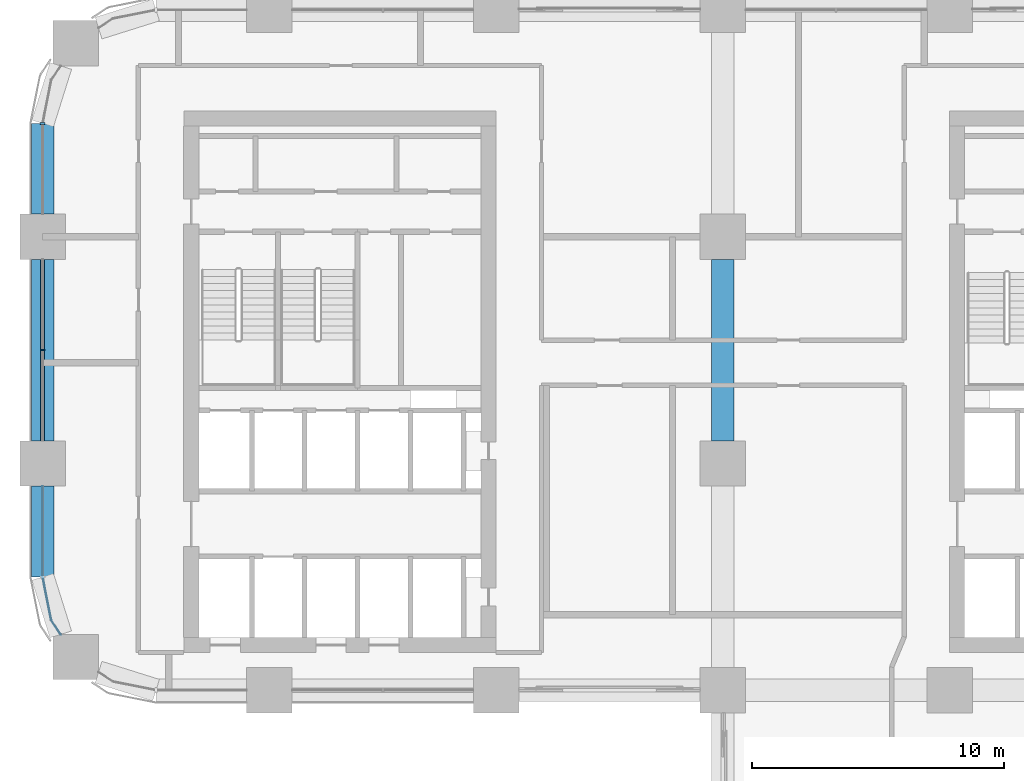
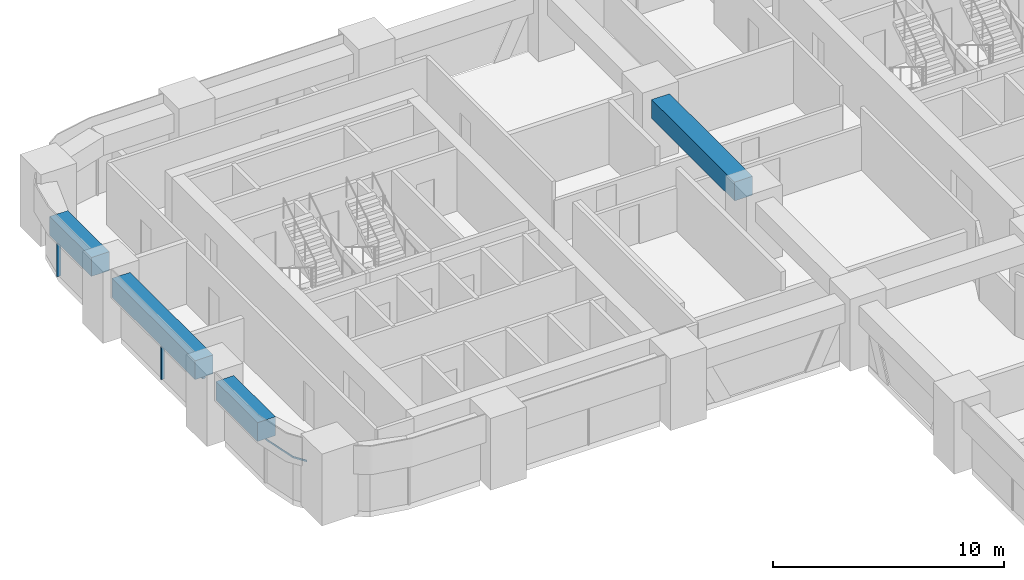
# One storey, part 7 of 20: 4 beams, 4 members, 3 elements without a shape of their own.
"""IFC4 building model written with IfcOpenShell, lengths in metres."""

from ifc_helpers import new_model, si_unit, direction, frame, origin, origin_2d, place, context, subcontext, project, spatial, polyline, rectangle, outline, extrude, material, material_profile, profile_set, type_object, element, aggregate, save


model = new_model("IFC4")

# Units and contexts
model_context = context("Model", 3, precision=1e-05, world=origin(), true_north=direction((0.0, 1.0)))
body_context = subcontext(model_context, "Body", "Model", "MODEL_VIEW")
ifc_project = project(units=[si_unit("LENGTHUNIT", "METRE"), si_unit("AREAUNIT", "SQUARE_METRE"), si_unit("VOLUMEUNIT", "CUBIC_METRE"), si_unit("PLANEANGLEUNIT", "RADIAN"), si_unit("MASSUNIT", "GRAM", prefix="KILO")], contexts=[model_context])

# Site, building, storey
site_placement = place(None, origin())
site = spatial("IfcSite", under=ifc_project, at=site_placement, CompositionType="ELEMENT")
building_placement = place(site_placement, origin())
building = spatial("IfcBuilding", under=site, at=building_placement, Name="Tessera Arch", CompositionType="ELEMENT")
storey_placement = place(building_placement, frame((0.0, 0.0, 119.60009765625)))
storey = spatial("IfcBuildingStorey", under=building, at=storey_placement, Name="L28", CompositionType="ELEMENT", Elevation=119.60009765625)

# Curtain wall, members
ifc_material_1 = material(Name="CW1 curtain wall")
curtain_wall_type_1 = type_object("IfcCurtainWallType", Name="CW1 curtain wall", PredefinedType="NOTDEFINED", material=ifc_material_1)
curtain_wall_1_placement = place(storey_placement, origin())
curtain_wall_1 = element("IfcCurtainWall", 1, at=curtain_wall_1_placement, inside=storey, type_object=curtain_wall_type_1, Name="CW1 curtain wall W0.27/1 L28", PredefinedType="NOTDEFINED")
ifc_material_2 = material(Name="Anodised aluminium pale metal", Category="aluminium")
ifc_material_profile_1 = material_profile(ifc_material_2, rectangle(XDim=0.159912109375, YDim=0.06005859375, at=origin_2d()), Name="AL 60x160")
ifc_profile_set_1 = profile_set([ifc_material_profile_1], Name="Anodised aluminium pale metal")
member_type_1 = type_object("IfcMemberType", Name="CW1 mullion", PredefinedType="MULLION", material=ifc_profile_set_1)
member_1_placement = place(storey_placement, frame((0.0, 40.5, 0.0), z_axis=(0.0, 0.0, 1.0), x_axis=(1.0, 0.0, 0.0)))
member_1 = element("IfcMember", 2, at=member_1_placement, type_object=member_type_1, Name="CW1 mullion W0.27/1 1", PredefinedType="MULLION", context=body_context, shape_type="SweptSolid", body=[
    extrude(rectangle(XDim=0.159912109375, YDim=0.06005859375, at=origin_2d()), origin(), (0.0, 0.0, 1.0), 2.199951171875),
])
ifc_material_3 = material(Name="Anodised aluminium pale metal", Category="aluminium")
ifc_material_profile_2 = material_profile(ifc_material_3, rectangle(XDim=0.159912109375, YDim=0.10009765625, at=origin_2d()), Name="AL 160x100")
ifc_profile_set_2 = profile_set([ifc_material_profile_2], Name="Anodised aluminium pale metal")
member_type_2 = type_object("IfcMemberType", Name="CW1 transom", PredefinedType="USERDEFINED", material=ifc_profile_set_2)
member_2_placement = place(storey_placement, frame((0.0, 44.10009765625, 2.25), z_axis=(0.0, -1.0, 0.0), x_axis=(1.0, 0.0, 0.0)))
member_2 = element("IfcMember", 3, at=member_2_placement, type_object=member_type_2, Name="CW1 transom W0.27/1 1.1", ObjectType="TRANSOM", PredefinedType="USERDEFINED", context=body_context, shape_type="SweptSolid", body=[
    extrude(rectangle(XDim=0.159912109375, YDim=0.10009765625, at=origin_2d()), origin(), (0.0, 0.0, 1.0), 7.2001953125),
])
aggregate(curtain_wall_1, [member_1, member_2])

# Curtain wall, member
ifc_material_4 = material(Name="CW2 curtain wall")
curtain_wall_type_2 = type_object("IfcCurtainWallType", Name="CW2 curtain wall", PredefinedType="NOTDEFINED", material=ifc_material_4)
curtain_wall_2_placement = place(storey_placement, origin())
curtain_wall_2 = element("IfcCurtainWall", 4, at=curtain_wall_2_placement, inside=storey, type_object=curtain_wall_type_2, Name="CW2 curtain wall W0.27/0 L28", PredefinedType="NOTDEFINED")
ifc_material_5 = material(Name="Anodised aluminium pale metal", Category="aluminium")
ifc_material_profile_3 = material_profile(ifc_material_5, rectangle(XDim=0.199951171875, YDim=0.080078125, at=origin_2d()), Name="AL 80x200")
ifc_profile_set_3 = profile_set([ifc_material_profile_3], Name="Anodised aluminium pale metal")
member_type_3 = type_object("IfcMemberType", Name="CW2 mullion", PredefinedType="MULLION", material=ifc_profile_set_3)
member_3_placement = place(storey_placement, frame((0.0, 49.5, 0.0), z_axis=(0.0, 0.0, 1.0), x_axis=(1.0, 0.0, 0.0)))
member_3 = element("IfcMember", 5, at=member_3_placement, type_object=member_type_3, Name="CW2 mullion W0.27/0 1", PredefinedType="MULLION", context=body_context, shape_type="SweptSolid", body=[
    extrude(rectangle(XDim=0.199951171875, YDim=0.080078125, at=origin_2d()), origin(), (0.0, 0.0, 1.0), 2.199951171875),
])
aggregate(curtain_wall_2, [member_3])

curtain_wall_3_placement = place(storey_placement, origin())
curtain_wall_3 = element("IfcCurtainWall", 6, at=curtain_wall_3_placement, inside=storey, type_object=curtain_wall_type_2, Name="CW2 curtain wall W0.27/2 L28", PredefinedType="NOTDEFINED")
ifc_material_6 = material(Name="Anodised aluminium pale metal", Category="aluminium")
ifc_material_profile_4 = material_profile(ifc_material_6, rectangle(XDim=0.199951171875, YDim=0.10009765625, at=origin_2d()), Name="AL 200x100")
ifc_profile_set_4 = profile_set([ifc_material_profile_4], Name="Anodised aluminium pale metal")
member_type_4 = type_object("IfcMemberType", Name="CW2 transom", PredefinedType="USERDEFINED", material=ifc_profile_set_4)
member_4_placement = place(storey_placement, frame((0.0, 0.0, 2.199951171875)))
member_4 = element("IfcMember", 7, at=member_4_placement, type_object=member_type_4, Name="CW2 transom W0.27/2 1", ObjectType="TRANSOM", PredefinedType="USERDEFINED", context=body_context, shape_type="SweptSolid", body=[
    extrude(outline(polyline([(0.010009765625, 31.5009765625), (0.010009765625, 35.10009765625), (-0.010009765625, 35.10009765625), (-0.010009765625, 31.4990234375), (0.3330078125, 29.77392578125), (0.70849609375, 29.21240234375), (0.72509765625, 29.2236328125), (0.351806640625, 29.78173828125), (0.010009765625, 31.5009765625)])), origin(), (0.0, 0.0, 1.0), 0.099853515625),
])
aggregate(curtain_wall_3, [member_4])

# Beams
ifc_material_7 = material(Name="Concrete C80/95", Category="concrete")
ifc_material_profile_5 = material_profile(ifc_material_7, rectangle(XDim=0.89990234375, YDim=1.0, at=origin_2d()), Name="RC spandrel beam 900 x 1000 Concrete C80/95")
ifc_profile_set_5 = profile_set([ifc_material_profile_5], Name="Concrete C80/95")
beam_type = type_object("IfcBeamType", Name="RC spandrel beam 900 x 1000 Concrete C80/95", PredefinedType="BEAM", material=ifc_profile_set_5)
beam_1_placement = place(storey_placement, frame((0.0, 49.5, 2.7998046875), z_axis=(0.0, -1.0, 0.0), x_axis=(1.0, 0.0, 0.0)))
element("IfcBeam", 8, at=beam_1_placement, inside=storey, type_object=beam_type, Name="Spandrel beam L28 W0.27/0.2", PredefinedType="BEAM", context=body_context, shape_type="SweptSolid", body=[
    extrude(rectangle(XDim=0.89990234375, YDim=1.0, at=origin_2d()), origin(), (0.0, 0.0, 1.0), 3.60009765625),
])
beam_2_placement = place(storey_placement, frame((0.0, 44.10009765625, 2.7998046875), z_axis=(0.0, -1.0, 0.0), x_axis=(1.0, 0.0, 0.0)))
element("IfcBeam", 9, at=beam_2_placement, inside=storey, type_object=beam_type, Name="Spandrel beam L28 W0.27/1", PredefinedType="BEAM", context=body_context, shape_type="SweptSolid", body=[
    extrude(rectangle(XDim=0.89990234375, YDim=1.0, at=origin_2d()), origin(), (0.0, 0.0, 1.0), 7.2001953125),
])
beam_3_placement = place(storey_placement, frame((0.0, 35.10009765625, 2.7998046875), z_axis=(0.0, -1.0, 0.0), x_axis=(1.0, 0.0, 0.0)))
element("IfcBeam", 10, at=beam_3_placement, inside=storey, type_object=beam_type, Name="Spandrel beam L28 W0.27/2.1", PredefinedType="BEAM", context=body_context, shape_type="SweptSolid", body=[
    extrude(rectangle(XDim=0.89990234375, YDim=1.0, at=origin_2d()), origin(), (0.0, 0.0, 1.0), 3.60009765625),
])
beam_4_placement = place(storey_placement, frame((27.0, 36.89990234375, 2.7998046875), z_axis=(0.0, 1.0, 0.0), x_axis=(-1.0, 0.0, 0.0)))
element("IfcBeam", 11, at=beam_4_placement, inside=storey, type_object=beam_type, Name="Interface beam L28 I0C4E-C4F", PredefinedType="BEAM", context=body_context, shape_type="SweptSolid", body=[
    extrude(rectangle(XDim=0.89990234375, YDim=1.0, at=origin_2d()), origin(), (0.0, 0.0, 1.0), 7.2001953125),
])

save(model, "model.ifc")
